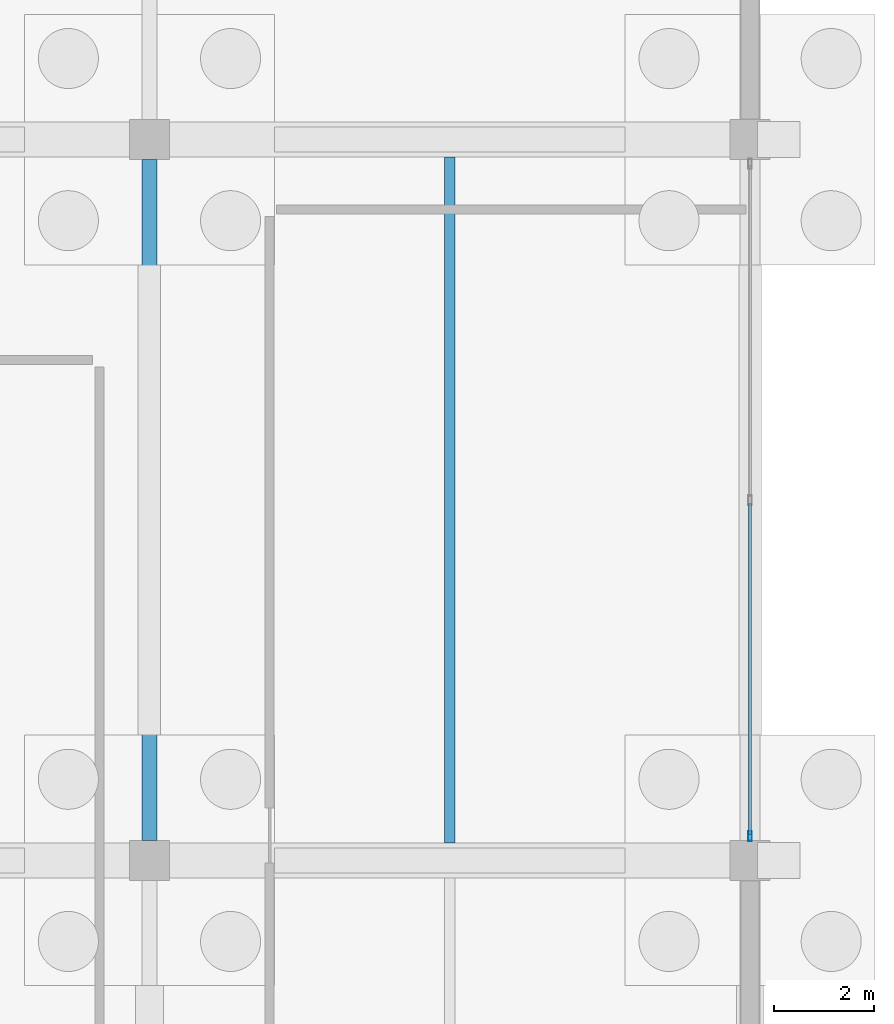
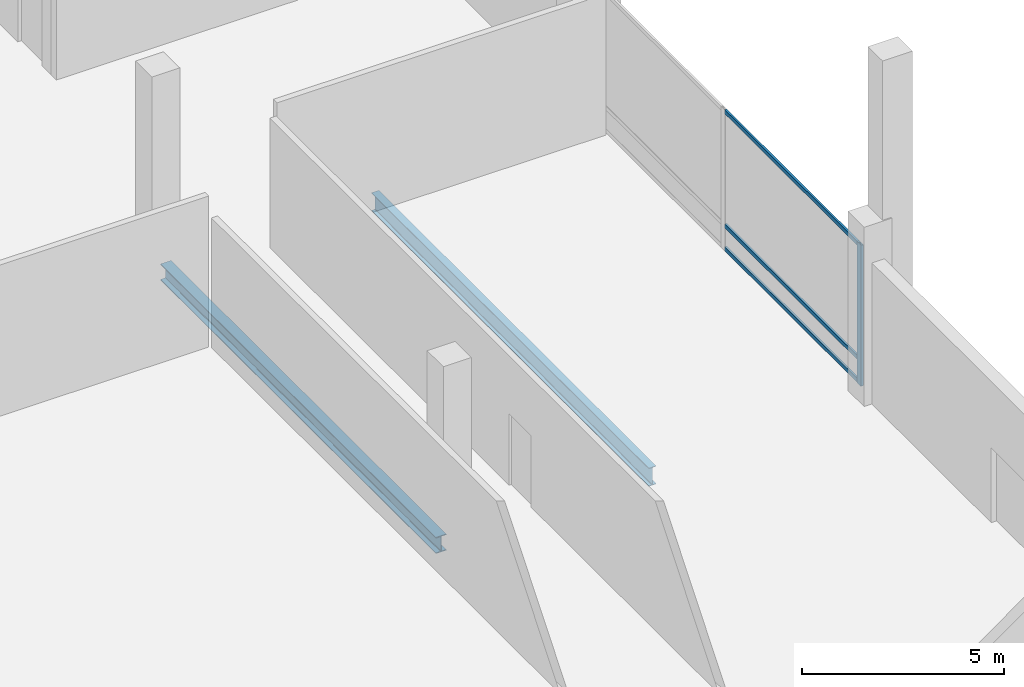
# One storey, part 117 of 192: 4 members, 2 beams, 1 element without a shape of its own.
"""IFC4 building model written with IfcOpenShell, lengths in metres."""

from ifc_helpers import new_model, si_unit, direction, frame, origin, origin_2d, place, context, subcontext, project, spatial, hollow_rectangle, i_section, extrude, material, material_profile, profile_set, type_object, element, aggregate, save


model = new_model("IFC4")

# Units and contexts
model_context = context("Model", 3, precision=1e-05, world=origin(), true_north=direction((0.0, 1.0)))
body_context = subcontext(model_context, "Body", "Model", "MODEL_VIEW")
ifc_project = project(units=[si_unit("LENGTHUNIT", "METRE"), si_unit("AREAUNIT", "SQUARE_METRE"), si_unit("VOLUMEUNIT", "CUBIC_METRE"), si_unit("PLANEANGLEUNIT", "RADIAN"), si_unit("MASSUNIT", "GRAM", prefix="KILO")], contexts=[model_context])

# Site, building, storey
site_placement = place(None, origin())
site = spatial("IfcSite", under=ifc_project, at=site_placement, CompositionType="ELEMENT")
building_placement = place(site_placement, origin())
building = spatial("IfcBuilding", under=site, at=building_placement, Name="Cendralis Lancet Convention Centre", CompositionType="ELEMENT")
storey_placement = place(building_placement, origin())
storey = spatial("IfcBuildingStorey", under=building, at=storey_placement, Name="L00", CompositionType="ELEMENT", Elevation=0.0)

# Curtain wall, members
ifc_material_1 = material(Name="Anodised bronze architectural aluminium", Category="aluminium")
curtain_wall_type = type_object("IfcCurtainWallType", Name="ARC-CW-BL02", PredefinedType="USERDEFINED", material=ifc_material_1)
curtain_wall_placement = place(storey_placement, origin())
curtain_wall = element("IfcCurtainWall", 1, at=curtain_wall_placement, inside=storey, type_object=curtain_wall_type, Name="L00 Curtain Wall CW-BL2 #147", ObjectType="CURTAIN WALL", PredefinedType="USERDEFINED")
ifc_material_profile_1 = material_profile(ifc_material_1, hollow_rectangle(XDim=0.070068359375, YDim=0.199951171875, WallThickness=0.0048828125, at=origin_2d()), Name="AL-MULL 70x200x5.0")
ifc_profile_set_1 = profile_set([ifc_material_profile_1], Name="Anodised bronze architectural aluminium")
member_type_1 = type_object("IfcMemberType", Name="ARC-CW-ML02", PredefinedType="MULLION", material=ifc_profile_set_1)
member_1_placement = place(storey_placement, frame((208.800048828125, 108.485107421875, 0.0), z_axis=(0.0, 0.0, 1.0), x_axis=(1.0, 0.0, 0.0)))
member_1 = element("IfcMember", 2, at=member_1_placement, type_object=member_type_1, Name="Mullion CW2-CW-BL2-L00-147-M2", PredefinedType="MULLION", context=body_context, shape_type="SweptSolid", body=[
    extrude(hollow_rectangle(XDim=0.070068359375, YDim=0.199951171875, WallThickness=0.0048828125, at=origin_2d()), origin(), (0.0, 0.0, 1.0), 4.2548828125),
])
ifc_material_profile_2 = material_profile(ifc_material_1, hollow_rectangle(XDim=0.06005859375, YDim=0.1201171875, WallThickness=0.00390625, at=origin_2d()), Name="AL-TRAN 60x120x4.0")
ifc_profile_set_2 = profile_set([ifc_material_profile_2], Name="Anodised bronze architectural aluminium")
member_type_2 = type_object("IfcMemberType", Name="ARC-CW-TR01", PredefinedType="USERDEFINED", material=ifc_profile_set_2)
member_2_placement = place(storey_placement, frame((208.800048828125, 115.1298828125, 0.06005859375), z_axis=(0.0, -1.0, 0.0), x_axis=(1.0, 0.0, 0.0)))
member_2 = element("IfcMember", 3, at=member_2_placement, type_object=member_type_2, Name="Transom CW2-CW-BL2-L00-147-T1BOT", ObjectType="TRANSOM", PredefinedType="USERDEFINED", context=body_context, shape_type="SweptSolid", body=[
    extrude(hollow_rectangle(XDim=0.06005859375, YDim=0.1201171875, WallThickness=0.00390625, at=origin_2d()), origin(), (0.0, 0.0, 1.0), 6.60986328125),
])
member_3_placement = place(storey_placement, frame((208.800048828125, 115.1298828125, 0.75), z_axis=(0.0, -1.0, 0.0), x_axis=(1.0, 0.0, 0.0)))
member_3 = element("IfcMember", 4, at=member_3_placement, type_object=member_type_2, Name="Transom CW2-CW-BL2-L00-147-T1MID", ObjectType="TRANSOM", PredefinedType="USERDEFINED", context=body_context, shape_type="SweptSolid", body=[
    extrude(hollow_rectangle(XDim=0.06005859375, YDim=0.1201171875, WallThickness=0.00390625, at=origin_2d()), origin(), (0.0, 0.0, 1.0), 6.60986328125),
])
member_4_placement = place(storey_placement, frame((208.800048828125, 115.1298828125, 4.195068359375), z_axis=(0.0, -1.0, 0.0), x_axis=(1.0, 0.0, 0.0)))
member_4 = element("IfcMember", 5, at=member_4_placement, type_object=member_type_2, Name="Transom CW2-CW-BL2-L00-147-T1TOP", ObjectType="TRANSOM", PredefinedType="USERDEFINED", context=body_context, shape_type="SweptSolid", body=[
    extrude(hollow_rectangle(XDim=0.06005859375, YDim=0.1201171875, WallThickness=0.00390625, at=origin_2d()), origin(), (0.0, 0.0, 1.0), 6.60986328125),
])
aggregate(curtain_wall, [member_1, member_2, member_3, member_4])

# Beams
ifc_material_2 = material(Name="Steel S355", Category="steel")
ifc_material_profile_3 = material_profile(ifc_material_2, i_section(OverallWidth=0.300048828125, OverallDepth=0.489990234375, WebThickness=0.011962890625, FlangeThickness=0.02294921875, FilletRadius=0.027099609375, at=origin_2d()), Name="HEA 500")
ifc_profile_set_3 = profile_set([ifc_material_profile_3], Name="Steel S355")
beam_type_1 = type_object("IfcBeamType", Name="STR-BM-SG12", PredefinedType="BEAM", material=ifc_profile_set_3)
beam_1_placement = place(storey_placement, frame((196.800048828125, 108.39990234375, -0.56494140625), z_axis=(0.0, 1.0, 0.0), x_axis=(-1.0, 0.0, 0.0)))
element("IfcBeam", 6, at=beam_1_placement, inside=storey, type_object=beam_type_1, Name="L00 Beam SG12 #1621", PredefinedType="BEAM", context=body_context, shape_type="SweptSolid", body=[
    extrude(i_section(OverallWidth=0.300048828125, OverallDepth=0.489990234375, WebThickness=0.011962890625, FlangeThickness=0.02294921875, FilletRadius=0.027099609375, at=origin_2d()), origin(), (0.0, 0.0, 1.0), 13.60009765625),
])
ifc_material_profile_4 = material_profile(ifc_material_2, i_section(OverallWidth=0.2099609375, OverallDepth=0.550048828125, WebThickness=0.010986328125, FlangeThickness=0.01708984375, FilletRadius=0.02392578125, at=origin_2d()), Name="IPE 550")
ifc_profile_set_4 = profile_set([ifc_material_profile_4], Name="Steel S355")
beam_type_2 = type_object("IfcBeamType", Name="STR-JS-BJ05", PredefinedType="JOIST", material=ifc_profile_set_4)
beam_2_placement = place(storey_placement, frame((202.800048828125, 108.35009765625, -0.594970703125), z_axis=(0.0, 1.0, 0.0), x_axis=(-1.0, 0.0, 0.0)))
element("IfcBeam", 7, at=beam_2_placement, inside=storey, type_object=beam_type_2, Name="L00 Beam BJ05 #1638", PredefinedType="JOIST", context=body_context, shape_type="SweptSolid", body=[
    extrude(i_section(OverallWidth=0.2099609375, OverallDepth=0.550048828125, WebThickness=0.010986328125, FlangeThickness=0.01708984375, FilletRadius=0.02392578125, at=origin_2d()), origin(), (0.0, 0.0, 1.0), 13.699951171875),
])

save(model, "model.ifc")
